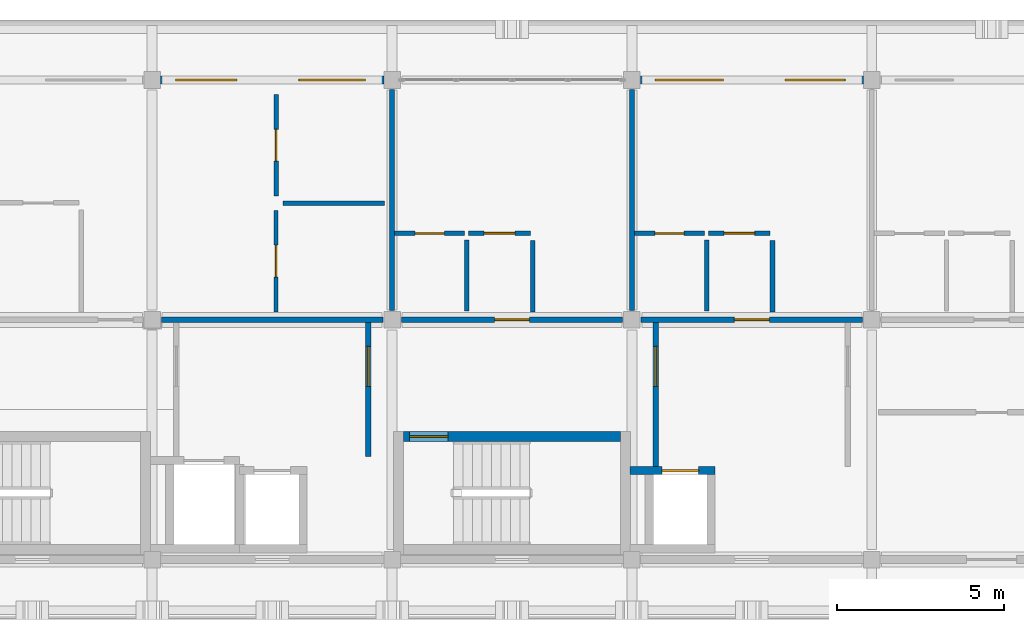
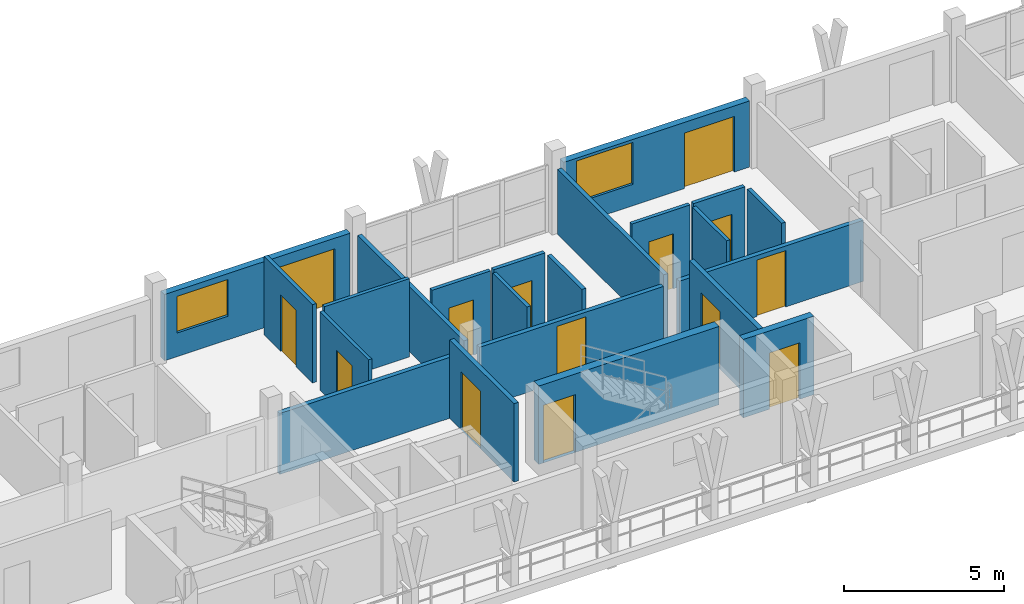
# One storey, part 29 of 45: 22 walls, 14 doors, 2 windows, 16 openings.
"""IFC4 building model written with IfcOpenShell, lengths in metres."""

from ifc_helpers import new_model, si_unit, direction, frame, frame_2d, origin, place, context, subcontext, project, spatial, rectangle, extrude, material, layer, layer_set, type_object, element, fill, save


model = new_model("IFC4")

# Units and contexts
model_context = context("Model", 3, precision=1e-05, world=origin(), true_north=direction((0.0, 1.0)))
body_context = subcontext(model_context, "Body", "Model", "MODEL_VIEW")
ifc_project = project(units=[si_unit("LENGTHUNIT", "METRE"), si_unit("AREAUNIT", "SQUARE_METRE"), si_unit("VOLUMEUNIT", "CUBIC_METRE"), si_unit("PLANEANGLEUNIT", "RADIAN"), si_unit("MASSUNIT", "GRAM", prefix="KILO")], contexts=[model_context])

# Site, building, storey
site_placement = place(None, origin())
site = spatial("IfcSite", under=ifc_project, at=site_placement, CompositionType="ELEMENT")
building_placement = place(site_placement, origin())
building = spatial("IfcBuilding", under=site, at=building_placement, Name="Suanplinth Sawtooth Commons", CompositionType="ELEMENT")
storey_placement = place(building_placement, frame((0.0, 0.0, 38.0)))
storey = spatial("IfcBuildingStorey", under=building, at=storey_placement, Name="L11", CompositionType="ELEMENT", Elevation=38.0)

# Wall, opening, door
ifc_material_1 = material(Name="Concrete C40/50", Category="concrete")
ifc_layer_1 = layer(ifc_material_1, 0.300048828125, Name="Standard RC stair and lift core wall 300mm")
ifc_layer_set_1 = layer_set([ifc_layer_1], Name="Concrete C40/50")
wall_type_1 = type_object("IfcWallType", Name="W-CR02", PredefinedType="SHEAR", material=ifc_layer_set_1)
wall_1_placement = place(storey_placement, frame((57.949951171875, 111.699951171875, 0.0), z_axis=(0.0, 0.0, 1.0), x_axis=(1.0, 0.0, 0.0)))
wall_1 = element("IfcWall", 1, at=wall_1_placement, inside=storey, type_object=wall_type_1, Name="W-L11-C-A2-STN", PredefinedType="SHEAR", context=body_context, shape_type="SweptSolid", body=[
    extrude(rectangle(XDim=6.5, YDim=0.300048828125, at=frame_2d((3.25, 0.0))), origin(), (0.0, 0.0, 1.0), 2.989990234375),
])
opening_1_placement = place(wall_1_placement, frame((0.179931640625, 0.0, 0.0)))
opening_1 = element("IfcOpeningElement", 2, at=opening_1_placement, cuts=wall_1, Name="Opening FD0134", PredefinedType="OPENING", context=body_context, shape_type="SweptSolid", body=[
    extrude(rectangle(XDim=1.14990234375, YDim=2.199951171875, at=frame_2d((0.574951171875, 1.10009765625))), frame((0.0, 0.1650390625, 0.0), z_axis=(0.0, -1.0, 0.0), x_axis=(1.0, 0.0, 0.0)), (0.0, 0.0, 1.0), 0.329833984375),
])
ifc_material_2 = material(Name="Teak hardwood fire-rated door assembly", Category="wood")
door_type_1 = type_object("IfcDoorType", Name="FD-01", OperationType="NOTDEFINED", PredefinedType="DOOR", material=ifc_material_2)
door_1_placement = place(opening_1_placement, frame((1.14990234375, 0.0, 0.0), z_axis=(0.0, 0.0, 1.0), x_axis=(-1.0, 0.0, 0.0)))
door_1 = element("IfcDoor", 3, at=door_1_placement, inside=storey, type_object=door_type_1, Name="Exit Stair Fire Door FD0134", OperationType="SINGLE_SWING_LEFT", OverallHeight=2.199951171875, OverallWidth=1.14990234375, PredefinedType="DOOR", context=body_context, shape_type="SweptSolid", body=[
    extrude(rectangle(XDim=1.14990234375, YDim=2.199951171875, at=frame_2d((0.574951171875, 1.10009765625))), frame((0.0, 0.02490234375, 0.0), z_axis=(0.0, -1.0, 0.0), x_axis=(1.0, 0.0, 0.0)), (0.0, 0.0, 1.0), 0.050048828125),
])
fill(opening_1, door_1)

# Wall, openings, door, window
ifc_material_3 = material(Name="Precast concrete C40/50", Category="concrete")
ifc_layer_2 = layer(ifc_material_3, 0.239990234375, Name="Upper insulated precast facade wall 240mm")
ifc_layer_set_2 = layer_set([ifc_layer_2], Name="Precast concrete C40/50")
wall_type_2 = type_object("IfcWallType", Name="W-EX03", PredefinedType="ELEMENTEDWALL", material=ifc_layer_set_2)
wall_2_placement = place(storey_placement, frame((50.64990234375, 122.39990234375, 0.0), z_axis=(0.0, 0.0, 1.0), x_axis=(1.0, 0.0, 0.0)))
wall_2 = element("IfcWall", 4, at=wall_2_placement, inside=storey, type_object=wall_type_2, Name="Facade Wall W-L11-A-N-4", PredefinedType="ELEMENTEDWALL", context=body_context, shape_type="SweptSolid", body=[
    extrude(rectangle(XDim=6.7001953125, YDim=0.239990234375, at=frame_2d((3.35009765625, 0.0))), origin(), (0.0, 0.0, 1.0), 2.52490234375),
])
opening_2_placement = place(wall_2_placement, frame((4.14990234375, 0.0, 0.0)))
opening_2 = element("IfcOpeningElement", 5, at=opening_2_placement, cuts=wall_2, Name="Opening ED0784", PredefinedType="OPENING", context=body_context, shape_type="SweptSolid", body=[
    extrude(rectangle(XDim=2.0, YDim=2.1201171875, at=frame_2d((1.0, 1.06005859375))), frame((0.0, 0.134765625, 0.0), z_axis=(0.0, -1.0, 0.0), x_axis=(1.0, 0.0, 0.0)), (0.0, 0.0, 1.0), 0.269775390625),
])
opening_3_placement = place(wall_2_placement, frame((0.449951171875, 0.0, 0.89990234375)))
opening_3 = element("IfcOpeningElement", 6, at=opening_3_placement, cuts=wall_2, Name="Opening W0865", PredefinedType="OPENING", context=body_context, shape_type="SweptSolid", body=[
    extrude(rectangle(XDim=1.85009765625, YDim=1.39990234375, at=frame_2d((0.925048828125, 0.699951171875))), frame((0.0, 0.134765625, 0.0), z_axis=(0.0, -1.0, 0.0), x_axis=(1.0, 0.0, 0.0)), (0.0, 0.0, 1.0), 0.269775390625),
])
ifc_material_4 = material(Name="Anodized aluminium and low-E glass", Category="aluminium")
door_type_2 = type_object("IfcDoorType", Name="SD-06", OperationType="DOUBLE_DOOR_SLIDING", PredefinedType="DOOR", material=ifc_material_4)
door_2_placement = place(opening_2_placement, frame((2.0, 0.0, 0.0), z_axis=(0.0, 0.0, 1.0), x_axis=(-1.0, 0.0, 0.0)))
door_2 = element("IfcDoor", 7, at=door_2_placement, inside=storey, type_object=door_type_2, Name="Balcony Sliding Door L11-A-N-4", OperationType="DOUBLE_DOOR_SLIDING", OverallHeight=2.1201171875, OverallWidth=2.0, PredefinedType="DOOR", context=body_context, shape_type="SweptSolid", body=[
    extrude(rectangle(XDim=2.0, YDim=2.1201171875, at=frame_2d((1.0, 1.06005859375))), frame((0.0, 0.02490234375, 0.0), z_axis=(0.0, -1.0, 0.0), x_axis=(1.0, 0.0, 0.0)), (0.0, 0.0, 1.0), 0.050048828125),
])
fill(opening_2, door_2)
ifc_material_5 = material(Name="Thermally broken aluminium and low-E double glazing", Category="aluminium")
window_type_1 = type_object("IfcWindowType", Name="WN-23", PartitioningType="DOUBLE_PANEL_VERTICAL", PredefinedType="WINDOW", material=ifc_material_5)
window_1_placement = place(opening_3_placement, origin())
window_1 = element("IfcWindow", 8, at=window_1_placement, inside=storey, type_object=window_type_1, Name="Window L11-A-N-4", OverallHeight=1.39990234375, OverallWidth=1.85009765625, PartitioningType="DOUBLE_PANEL_VERTICAL", PredefinedType="WINDOW", context=body_context, shape_type="SweptSolid", body=[
    extrude(rectangle(XDim=1.85009765625, YDim=1.39990234375, at=frame_2d((0.925048828125, 0.699951171875))), frame((0.0, 0.030029296875, 0.0), z_axis=(0.0, -1.0, 0.0), x_axis=(1.0, 0.0, 0.0)), (0.0, 0.0, 1.0), 0.06005859375),
])
fill(opening_3, window_1)

wall_3_placement = place(storey_placement, frame((65.050048828125, 122.39990234375, 0.0), z_axis=(0.0, 0.0, 1.0), x_axis=(1.0, 0.0, 0.0)))
wall_3 = element("IfcWall", 9, at=wall_3_placement, inside=storey, type_object=wall_type_2, Name="Facade Wall W-L11-A-N-6", PredefinedType="ELEMENTEDWALL", context=body_context, shape_type="SweptSolid", body=[
    extrude(rectangle(XDim=6.699951171875, YDim=0.239990234375, at=frame_2d((3.35009765625, 0.0))), origin(), (0.0, 0.0, 1.0), 2.52490234375),
])
opening_4_placement = place(wall_3_placement, frame((4.35009765625, 0.0, 0.0)))
opening_4 = element("IfcOpeningElement", 10, at=opening_4_placement, cuts=wall_3, Name="Opening ED0785", PredefinedType="OPENING", context=body_context, shape_type="SweptSolid", body=[
    extrude(rectangle(XDim=1.800048828125, YDim=2.1201171875, at=frame_2d((0.89990234375, 1.06005859375))), frame((0.0, 0.134765625, 0.0), z_axis=(0.0, -1.0, 0.0), x_axis=(1.0, 0.0, 0.0)), (0.0, 0.0, 1.0), 0.269775390625),
])
opening_5_placement = place(wall_3_placement, frame((0.449951171875, 0.0, 0.81494140625)))
opening_5 = element("IfcOpeningElement", 11, at=opening_5_placement, cuts=wall_3, Name="Opening W0868", PredefinedType="OPENING", context=body_context, shape_type="SweptSolid", body=[
    extrude(rectangle(XDim=2.050048828125, YDim=1.60009765625, at=frame_2d((1.02490234375, 0.800048828125))), frame((0.0, 0.134765625, 0.0), z_axis=(0.0, -1.0, 0.0), x_axis=(1.0, 0.0, 0.0)), (0.0, 0.0, 1.0), 0.269775390625),
])
door_type_3 = type_object("IfcDoorType", Name="SD-01", OperationType="SLIDING_TO_LEFT", PredefinedType="DOOR", material=ifc_material_4)
door_3_placement = place(opening_4_placement, frame((1.800048828125, 0.0, 0.0), z_axis=(0.0, 0.0, 1.0), x_axis=(-1.0, 0.0, 0.0)))
door_3 = element("IfcDoor", 12, at=door_3_placement, inside=storey, type_object=door_type_3, Name="Balcony Sliding Door L11-A-N-6", OperationType="SLIDING_TO_LEFT", OverallHeight=2.1201171875, OverallWidth=1.800048828125, PredefinedType="DOOR", context=body_context, shape_type="SweptSolid", body=[
    extrude(rectangle(XDim=1.800048828125, YDim=2.1201171875, at=frame_2d((0.89990234375, 1.06005859375))), frame((0.0, 0.02490234375, 0.0), z_axis=(0.0, -1.0, 0.0), x_axis=(1.0, 0.0, 0.0)), (0.0, 0.0, 1.0), 0.050048828125),
])
fill(opening_4, door_3)
window_type_2 = type_object("IfcWindowType", Name="WN-25", PartitioningType="DOUBLE_PANEL_VERTICAL", PredefinedType="WINDOW", material=ifc_material_5)
window_2_placement = place(opening_5_placement, origin())
window_2 = element("IfcWindow", 13, at=window_2_placement, inside=storey, type_object=window_type_2, Name="Window L11-A-N-6", OverallHeight=1.60009765625, OverallWidth=2.050048828125, PartitioningType="DOUBLE_PANEL_VERTICAL", PredefinedType="WINDOW", context=body_context, shape_type="SweptSolid", body=[
    extrude(rectangle(XDim=2.050048828125, YDim=1.60009765625, at=frame_2d((1.02490234375, 0.800048828125))), frame((0.0, 0.030029296875, 0.0), z_axis=(0.0, -1.0, 0.0), x_axis=(1.0, 0.0, 0.0)), (0.0, 0.0, 1.0), 0.06005859375),
])
fill(opening_5, window_2)

# Wall, opening, door
ifc_layer_3 = layer(ifc_material_3, 0.159912109375, Name="Fire-rated corridor and lobby wall 160mm")
ifc_layer_set_3 = layer_set([ifc_layer_3], Name="Precast concrete C40/50")
wall_type_3 = type_object("IfcWallType", Name="W-FW01", PredefinedType="PARTITIONING", material=ifc_layer_set_3)
wall_4_placement = place(storey_placement, frame((56.8798828125, 111.10009765625, 0.0), z_axis=(0.0, 0.0, 1.0), x_axis=(0.0, 1.0, 0.0)))
wall_4 = element("IfcWall", 14, at=wall_4_placement, inside=storey, type_object=wall_type_3, Name="W-L11-C-A1-LOB-E", PredefinedType="PARTITIONING", context=body_context, shape_type="SweptSolid", body=[
    extrude(rectangle(XDim=4.02001953125, YDim=0.159912109375, at=frame_2d((2.010009765625, 0.0))), origin(), (0.0, 0.0, 1.0), 2.989990234375),
])
opening_6_placement = place(wall_4_placement, frame((2.10009765625, 0.0, 0.0)))
opening_6 = element("IfcOpeningElement", 15, at=opening_6_placement, cuts=wall_4, Name="Opening FD0063", PredefinedType="OPENING", context=body_context, shape_type="SweptSolid", body=[
    extrude(rectangle(XDim=1.199951171875, YDim=2.199951171875, at=frame_2d((0.60009765625, 1.10009765625))), frame((0.0, 0.0947265625, 0.0), z_axis=(0.0, -1.0, 0.0), x_axis=(1.0, 0.0, 0.0)), (0.0, 0.0, 1.0), 0.189697265625),
])
door_type_4 = type_object("IfcDoorType", Name="FD-02", OperationType="NOTDEFINED", PredefinedType="DOOR", material=ifc_material_2)
door_4_placement = place(opening_6_placement, frame((1.199951171875, 0.0, 0.0), z_axis=(0.0, 0.0, 1.0), x_axis=(-1.0, 0.0, 0.0)))
door_4 = element("IfcDoor", 16, at=door_4_placement, inside=storey, type_object=door_type_4, Name="Lobby Fire Door FD0063", OperationType="SINGLE_SWING_RIGHT", OverallHeight=2.199951171875, OverallWidth=1.199951171875, PredefinedType="DOOR", context=body_context, shape_type="SweptSolid", body=[
    extrude(rectangle(XDim=1.199951171875, YDim=2.199951171875, at=frame_2d((0.60009765625, 1.10009765625))), frame((0.0, 0.02490234375, 0.0), z_axis=(0.0, -1.0, 0.0), x_axis=(1.0, 0.0, 0.0)), (0.0, 0.0, 1.0), 0.050048828125),
])
fill(opening_6, door_4)

wall_5_placement = place(storey_placement, frame((65.52001953125, 110.800048828125, 0.0), z_axis=(0.0, 0.0, 1.0), x_axis=(0.0, 1.0, 0.0)))
wall_5 = element("IfcWall", 17, at=wall_5_placement, inside=storey, type_object=wall_type_3, Name="W-L11-C-A2-LOB-W", PredefinedType="PARTITIONING", context=body_context, shape_type="SweptSolid", body=[
    extrude(rectangle(XDim=4.320068359375, YDim=0.159912109375, at=frame_2d((2.16015625, 0.0))), origin(), (0.0, 0.0, 1.0), 2.989990234375),
])
opening_7_placement = place(wall_5_placement, frame((2.39990234375, 0.0, 0.0)))
opening_7 = element("IfcOpeningElement", 18, at=opening_7_placement, cuts=wall_5, Name="Opening FD0135", PredefinedType="OPENING", context=body_context, shape_type="SweptSolid", body=[
    extrude(rectangle(XDim=1.199951171875, YDim=2.199951171875, at=frame_2d((0.60009765625, 1.10009765625))), frame((0.0, 0.0947265625, 0.0), z_axis=(0.0, -1.0, 0.0), x_axis=(1.0, 0.0, 0.0)), (0.0, 0.0, 1.0), 0.189697265625),
])
door_5_placement = place(opening_7_placement, origin())
door_5 = element("IfcDoor", 19, at=door_5_placement, inside=storey, type_object=door_type_4, Name="Lobby Fire Door FD0135", OperationType="SINGLE_SWING_RIGHT", OverallHeight=2.199951171875, OverallWidth=1.199951171875, PredefinedType="DOOR", context=body_context, shape_type="SweptSolid", body=[
    extrude(rectangle(XDim=1.199951171875, YDim=2.199951171875, at=frame_2d((0.60009765625, 1.10009765625))), frame((0.0, 0.02490234375, 0.0), z_axis=(0.0, -1.0, 0.0), x_axis=(1.0, 0.0, 0.0)), (0.0, 0.0, 1.0), 0.050048828125),
])
fill(opening_7, door_5)

# Wall
wall_6_placement = place(storey_placement, frame((50.679931640625, 115.199951171875, 0.0), z_axis=(0.0, 0.0, 1.0), x_axis=(1.0, 0.0, 0.0)))
element("IfcWall", 20, at=wall_6_placement, inside=storey, type_object=wall_type_3, Name="W-A-L11-U03-COR-S2", PredefinedType="PARTITIONING", context=body_context, shape_type="SweptSolid", body=[
    extrude(rectangle(XDim=6.64013671875, YDim=0.159912109375, at=frame_2d((3.320068359375, 0.0))), origin(), (0.0, 0.0, 1.0), 2.324951171875),
])

# Wall, opening, door
wall_7_placement = place(storey_placement, frame((57.8798828125, 115.199951171875, 0.0), z_axis=(0.0, 0.0, 1.0), x_axis=(1.0, 0.0, 0.0)))
wall_7 = element("IfcWall", 21, at=wall_7_placement, inside=storey, type_object=wall_type_3, Name="W-A-L11-U04-COR", PredefinedType="PARTITIONING", context=body_context, shape_type="SweptSolid", body=[
    extrude(rectangle(XDim=6.64013671875, YDim=0.159912109375, at=frame_2d((3.320068359375, 0.0))), origin(), (0.0, 0.0, 1.0), 2.324951171875),
])
opening_8_placement = place(wall_7_placement, frame((2.794921875, 0.0, 0.0)))
opening_8 = element("IfcOpeningElement", 22, at=opening_8_placement, cuts=wall_7, Name="Opening FD1939", PredefinedType="OPENING", context=body_context, shape_type="SweptSolid", body=[
    extrude(rectangle(XDim=1.050048828125, YDim=2.14990234375, at=frame_2d((0.52490234375, 1.074951171875))), frame((0.0, 0.0947265625, 0.0), z_axis=(0.0, -1.0, 0.0), x_axis=(1.0, 0.0, 0.0)), (0.0, 0.0, 1.0), 0.189697265625),
])
door_type_5 = type_object("IfcDoorType", Name="FD-04", OperationType="NOTDEFINED", PredefinedType="DOOR", material=ifc_material_2)
door_6_placement = place(opening_8_placement, origin())
door_6 = element("IfcDoor", 23, at=door_6_placement, inside=storey, type_object=door_type_5, Name="Unit Entrance Door FD1939", OperationType="SINGLE_SWING_LEFT", OverallHeight=2.14990234375, OverallWidth=1.050048828125, PredefinedType="DOOR", context=body_context, shape_type="SweptSolid", body=[
    extrude(rectangle(XDim=1.050048828125, YDim=2.14990234375, at=frame_2d((0.52490234375, 1.074951171875))), frame((0.0, 0.02490234375, 0.0), z_axis=(0.0, -1.0, 0.0), x_axis=(1.0, 0.0, 0.0)), (0.0, 0.0, 1.0), 0.050048828125),
])
fill(opening_8, door_6)

wall_8_placement = place(storey_placement, frame((65.080078125, 115.199951171875, 0.0), z_axis=(0.0, 0.0, 1.0), x_axis=(1.0, 0.0, 0.0)))
wall_8 = element("IfcWall", 24, at=wall_8_placement, inside=storey, type_object=wall_type_3, Name="W-A-L11-U05-COR", PredefinedType="PARTITIONING", context=body_context, shape_type="SweptSolid", body=[
    extrude(rectangle(XDim=6.639892578125, YDim=0.159912109375, at=frame_2d((3.31982421875, 0.0))), origin(), (0.0, 0.0, 1.0), 2.324951171875),
])
opening_9_placement = place(wall_8_placement, frame((2.794921875, 0.0, 0.0)))
opening_9 = element("IfcOpeningElement", 25, at=opening_9_placement, cuts=wall_8, Name="Opening FD1942", PredefinedType="OPENING", context=body_context, shape_type="SweptSolid", body=[
    extrude(rectangle(XDim=1.050048828125, YDim=2.14990234375, at=frame_2d((0.52490234375, 1.074951171875))), frame((0.0, 0.0947265625, 0.0), z_axis=(0.0, -1.0, 0.0), x_axis=(1.0, 0.0, 0.0)), (0.0, 0.0, 1.0), 0.189697265625),
])
door_7_placement = place(opening_9_placement, origin())
door_7 = element("IfcDoor", 26, at=door_7_placement, inside=storey, type_object=door_type_5, Name="Unit Entrance Door FD1942", OperationType="SINGLE_SWING_RIGHT", OverallHeight=2.14990234375, OverallWidth=1.050048828125, PredefinedType="DOOR", context=body_context, shape_type="SweptSolid", body=[
    extrude(rectangle(XDim=1.050048828125, YDim=2.14990234375, at=frame_2d((0.52490234375, 1.074951171875))), frame((0.0, 0.02490234375, 0.0), z_axis=(0.0, -1.0, 0.0), x_axis=(1.0, 0.0, 0.0)), (0.0, 0.0, 1.0), 0.050048828125),
])
fill(opening_9, door_7)

# Walls
ifc_layer_4 = layer(ifc_material_3, 0.14990234375, Name="Acoustic precast party demising wall 150mm")
ifc_layer_set_4 = layer_set([ifc_layer_4], Name="Precast concrete C40/50")
wall_type_4 = type_object("IfcWallType", Name="W-FW02", PredefinedType="PARTITIONING", material=ifc_layer_set_4)
for number, where, z_axis, x_axis, name in (
    (27, (57.60009765625, 115.47998046875, 0.0), (0.0, 0.0, 1.0), (0.0, 1.0, 0.0), "W-A-L11-U03-PTY"),
    (28, (64.800048828125, 115.47998046875, 0.0), (0.0, 0.0, 1.0), (0.0, 1.0, 0.0), "W-A-L11-U04-PTY"),
):
    element("IfcWall", number, at=place(storey_placement, frame(where, z_axis=z_axis, x_axis=x_axis)), inside=storey, type_object=wall_type_4, Name=name, PredefinedType="PARTITIONING", context=body_context, shape_type="SweptSolid", body=[
        extrude(rectangle(XDim=6.64013671875, YDim=0.14990234375, at=frame_2d((3.320068359375, 0.0))), origin(), (0.0, 0.0, 1.0), 2.47509765625),
    ])

# Wall, opening, door
ifc_material_6 = material(Name="Gypsum plasterboard on steel stud", Category="steel")
ifc_layer_5 = layer(ifc_material_6, 0.139892578125, Name="Fire-rated kitchen partition 140mm")
ifc_layer_set_5 = layer_set([ifc_layer_5], Name="Gypsum plasterboard on steel stud")
wall_type_5 = type_object("IfcWallType", Name="W-PT01", PredefinedType="PARTITIONING", material=ifc_layer_set_5)
wall_9_placement = place(storey_placement, frame((59.89990234375, 117.800048828125, 0.0), z_axis=(0.0, 0.0, 1.0), x_axis=(1.0, 0.0, 0.0)))
wall_9 = element("IfcWall", 29, at=wall_9_placement, inside=storey, type_object=wall_type_5, Name="W-A-L11-U04-KIT1", PredefinedType="PARTITIONING", context=body_context, shape_type="SweptSolid", body=[
    extrude(rectangle(XDim=1.85009765625, YDim=0.139892578125, at=frame_2d((0.925048828125, 0.0))), origin(), (0.0, 0.0, 1.0), 2.989990234375),
])
opening_10_placement = place(wall_9_placement, frame((0.465087890625, 0.0, 0.0)))
opening_10 = element("IfcOpeningElement", 30, at=opening_10_placement, cuts=wall_9, Name="Opening D1941", PredefinedType="OPENING", context=body_context, shape_type="SweptSolid", body=[
    extrude(rectangle(XDim=0.919921875, YDim=2.10009765625, at=frame_2d((0.4599609375, 1.050048828125))), frame((0.0, 0.0849609375, 0.0), z_axis=(0.0, -1.0, 0.0), x_axis=(1.0, 0.0, 0.0)), (0.0, 0.0, 1.0), 0.169677734375),
])
ifc_material_7 = material(Name="Teak hardwood", Category="wood")
door_type_6 = type_object("IfcDoorType", Name="D-02", OperationType="NOTDEFINED", PredefinedType="DOOR", material=ifc_material_7)
door_8_placement = place(opening_10_placement, frame((0.919921875, 0.0, 0.0), z_axis=(0.0, 0.0, 1.0), x_axis=(-1.0, 0.0, 0.0)))
door_8 = element("IfcDoor", 31, at=door_8_placement, inside=storey, type_object=door_type_6, Name="Kitchen Door D1941", OperationType="SINGLE_SWING_LEFT", OverallHeight=2.10009765625, OverallWidth=0.919921875, PredefinedType="DOOR", context=body_context, shape_type="SweptSolid", body=[
    extrude(rectangle(XDim=0.919921875, YDim=2.10009765625, at=frame_2d((0.4599609375, 1.050048828125))), frame((0.0, 0.02490234375, 0.0), z_axis=(0.0, -1.0, 0.0), x_axis=(1.0, 0.0, 0.0)), (0.0, 0.0, 1.0), 0.050048828125),
])
fill(opening_10, door_8)

# Wall
wall_10_placement = place(storey_placement, frame((61.820068359375, 115.429931640625, 0.0), z_axis=(0.0, 0.0, 1.0), x_axis=(0.0, 1.0, 0.0)))
element("IfcWall", 32, at=wall_10_placement, inside=storey, type_object=wall_type_5, Name="W-A-L11-U04-KIT2", PredefinedType="PARTITIONING", context=body_context, shape_type="SweptSolid", body=[
    extrude(rectangle(XDim=2.150146484375, YDim=0.139892578125, at=frame_2d((1.0751953125, 0.0))), origin(), (0.0, 0.0, 1.0), 2.989990234375),
])

# Wall, opening, door
wall_11_placement = place(storey_placement, frame((67.10009765625, 117.800048828125, 0.0), z_axis=(0.0, 0.0, 1.0), x_axis=(1.0, 0.0, 0.0)))
wall_11 = element("IfcWall", 33, at=wall_11_placement, inside=storey, type_object=wall_type_5, Name="W-A-L11-U05-KIT1", PredefinedType="PARTITIONING", context=body_context, shape_type="SweptSolid", body=[
    extrude(rectangle(XDim=1.849853515625, YDim=0.139892578125, at=frame_2d((0.9248046875, 0.0))), origin(), (0.0, 0.0, 1.0), 2.989990234375),
])
opening_11_placement = place(wall_11_placement, frame((0.465087890625, 0.0, 0.0)))
opening_11 = element("IfcOpeningElement", 34, at=opening_11_placement, cuts=wall_11, Name="Opening D1944", PredefinedType="OPENING", context=body_context, shape_type="SweptSolid", body=[
    extrude(rectangle(XDim=0.919921875, YDim=2.10009765625, at=frame_2d((0.4599609375, 1.050048828125))), frame((0.0, 0.0849609375, 0.0), z_axis=(0.0, -1.0, 0.0), x_axis=(1.0, 0.0, 0.0)), (0.0, 0.0, 1.0), 0.169677734375),
])
door_9_placement = place(opening_11_placement, frame((0.919921875, 0.0, 0.0), z_axis=(0.0, 0.0, 1.0), x_axis=(-1.0, 0.0, 0.0)))
door_9 = element("IfcDoor", 35, at=door_9_placement, inside=storey, type_object=door_type_6, Name="Kitchen Door D1944", OperationType="SINGLE_SWING_RIGHT", OverallHeight=2.10009765625, OverallWidth=0.919921875, PredefinedType="DOOR", context=body_context, shape_type="SweptSolid", body=[
    extrude(rectangle(XDim=0.919921875, YDim=2.10009765625, at=frame_2d((0.4599609375, 1.050048828125))), frame((0.0, 0.02490234375, 0.0), z_axis=(0.0, -1.0, 0.0), x_axis=(1.0, 0.0, 0.0)), (0.0, 0.0, 1.0), 0.050048828125),
])
fill(opening_11, door_9)

# Wall
wall_12_placement = place(storey_placement, frame((69.02001953125, 115.429931640625, 0.0), z_axis=(0.0, 0.0, 1.0), x_axis=(0.0, 1.0, 0.0)))
element("IfcWall", 36, at=wall_12_placement, inside=storey, type_object=wall_type_5, Name="W-A-L11-U05-KIT2", PredefinedType="PARTITIONING", context=body_context, shape_type="SweptSolid", body=[
    extrude(rectangle(XDim=2.150146484375, YDim=0.139892578125, at=frame_2d((1.0751953125, 0.0))), origin(), (0.0, 0.0, 1.0), 2.989990234375),
])

# Wall, opening, door
ifc_layer_6 = layer(ifc_material_6, 0.1298828125, Name="Moisture-resistant bathroom partition 130mm")
ifc_layer_set_6 = layer_set([ifc_layer_6], Name="Gypsum plasterboard on steel stud")
wall_type_6 = type_object("IfcWallType", Name="W-PT02", PredefinedType="PARTITIONING", material=ifc_layer_set_6)
wall_13_placement = place(storey_placement, frame((57.679931640625, 117.794921875, 0.0), z_axis=(0.0, 0.0, 1.0), x_axis=(1.0, 0.0, 0.0)))
wall_13 = element("IfcWall", 37, at=wall_13_placement, inside=storey, type_object=wall_type_6, Name="W-A-L11-U04-BTH1", PredefinedType="PARTITIONING", context=body_context, shape_type="SweptSolid", body=[
    extrude(rectangle(XDim=2.10009765625, YDim=0.1298828125, at=frame_2d((1.050048828125, 0.0))), origin(), (0.0, 0.0, 1.0), 2.989990234375),
])
opening_12_placement = place(wall_13_placement, frame((0.610107421875, 0.0, 0.0)))
opening_12 = element("IfcOpeningElement", 38, at=opening_12_placement, cuts=wall_13, Name="Opening D1940", PredefinedType="OPENING", context=body_context, shape_type="SweptSolid", body=[
    extrude(rectangle(XDim=0.8798828125, YDim=2.10009765625, at=frame_2d((0.43994140625, 1.050048828125))), frame((0.0, 0.079833984375, 0.0), z_axis=(0.0, -1.0, 0.0), x_axis=(1.0, 0.0, 0.0)), (0.0, 0.0, 1.0), 0.15966796875),
])
door_type_7 = type_object("IfcDoorType", Name="D-14", OperationType="NOTDEFINED", PredefinedType="DOOR", material=ifc_material_7)
door_10_placement = place(opening_12_placement, frame((0.8798828125, 0.0, 0.0), z_axis=(0.0, 0.0, 1.0), x_axis=(-1.0, 0.0, 0.0)))
door_10 = element("IfcDoor", 39, at=door_10_placement, inside=storey, type_object=door_type_7, Name="Bathroom Door D1940", OperationType="SINGLE_SWING_RIGHT", OverallHeight=2.10009765625, OverallWidth=0.8798828125, PredefinedType="DOOR", context=body_context, shape_type="SweptSolid", body=[
    extrude(rectangle(XDim=0.8798828125, YDim=2.10009765625, at=frame_2d((0.43994140625, 1.050048828125))), frame((0.0, 0.02490234375, 0.0), z_axis=(0.0, -1.0, 0.0), x_axis=(1.0, 0.0, 0.0)), (0.0, 0.0, 1.0), 0.050048828125),
])
fill(opening_12, door_10)

# Wall
wall_14_placement = place(storey_placement, frame((59.844970703125, 115.4599609375, 0.0), z_axis=(0.0, 0.0, 1.0), x_axis=(0.0, 1.0, 0.0)))
element("IfcWall", 40, at=wall_14_placement, inside=storey, type_object=wall_type_6, Name="W-A-L11-U04-BTH2", PredefinedType="PARTITIONING", context=body_context, shape_type="SweptSolid", body=[
    extrude(rectangle(XDim=2.130126953125, YDim=0.1298828125, at=frame_2d((1.06494140625, 0.0))), origin(), (0.0, 0.0, 1.0), 2.989990234375),
])

# Wall, opening, door
wall_15_placement = place(storey_placement, frame((64.8798828125, 117.794921875, 0.0), z_axis=(0.0, 0.0, 1.0), x_axis=(1.0, 0.0, 0.0)))
wall_15 = element("IfcWall", 41, at=wall_15_placement, inside=storey, type_object=wall_type_6, Name="W-A-L11-U05-BTH1", PredefinedType="PARTITIONING", context=body_context, shape_type="SweptSolid", body=[
    extrude(rectangle(XDim=2.10009765625, YDim=0.1298828125, at=frame_2d((1.050048828125, 0.0))), origin(), (0.0, 0.0, 1.0), 2.989990234375),
])
opening_13_placement = place(wall_15_placement, frame((0.610107421875, 0.0, 0.0)))
opening_13 = element("IfcOpeningElement", 42, at=opening_13_placement, cuts=wall_15, Name="Opening D1943", PredefinedType="OPENING", context=body_context, shape_type="SweptSolid", body=[
    extrude(rectangle(XDim=0.8798828125, YDim=2.10009765625, at=frame_2d((0.43994140625, 1.050048828125))), frame((0.0, 0.079833984375, 0.0), z_axis=(0.0, -1.0, 0.0), x_axis=(1.0, 0.0, 0.0)), (0.0, 0.0, 1.0), 0.15966796875),
])
door_11_placement = place(opening_13_placement, frame((0.8798828125, 0.0, 0.0), z_axis=(0.0, 0.0, 1.0), x_axis=(-1.0, 0.0, 0.0)))
door_11 = element("IfcDoor", 43, at=door_11_placement, inside=storey, type_object=door_type_7, Name="Bathroom Door D1943", OperationType="SINGLE_SWING_LEFT", OverallHeight=2.10009765625, OverallWidth=0.8798828125, PredefinedType="DOOR", context=body_context, shape_type="SweptSolid", body=[
    extrude(rectangle(XDim=0.8798828125, YDim=2.10009765625, at=frame_2d((0.43994140625, 1.050048828125))), frame((0.0, 0.02490234375, 0.0), z_axis=(0.0, -1.0, 0.0), x_axis=(1.0, 0.0, 0.0)), (0.0, 0.0, 1.0), 0.050048828125),
])
fill(opening_13, door_11)

# Wall
wall_16_placement = place(storey_placement, frame((67.044921875, 115.4599609375, 0.0), z_axis=(0.0, 0.0, 1.0), x_axis=(0.0, 1.0, 0.0)))
element("IfcWall", 44, at=wall_16_placement, inside=storey, type_object=wall_type_6, Name="W-A-L11-U05-BTH2", PredefinedType="PARTITIONING", context=body_context, shape_type="SweptSolid", body=[
    extrude(rectangle(XDim=2.130126953125, YDim=0.1298828125, at=frame_2d((1.06494140625, 0.0))), origin(), (0.0, 0.0, 1.0), 2.989990234375),
])

# Wall, opening, door
ifc_layer_7 = layer(ifc_material_6, 0.1201171875, Name="Acoustic bedroom partition 120mm")
ifc_layer_set_7 = layer_set([ifc_layer_7], Name="Gypsum plasterboard on steel stud")
wall_type_7 = type_object("IfcWallType", Name="W-PT03", PredefinedType="PARTITIONING", material=ifc_layer_set_7)
wall_17_placement = place(storey_placement, frame((54.1201171875, 115.43994140625, 0.0), z_axis=(0.0, 0.0, 1.0), x_axis=(0.0, 1.0, 0.0)))
wall_17 = element("IfcWall", 45, at=wall_17_placement, inside=storey, type_object=wall_type_7, Name="W-A-L11-U03-BED2", PredefinedType="PARTITIONING", context=body_context, shape_type="SweptSolid", body=[
    extrude(rectangle(XDim=3.0400390625, YDim=0.1201171875, at=frame_2d((1.52001953125, 0.0))), origin(), (0.0, 0.0, 1.0), 2.989990234375),
])
opening_14_placement = place(wall_17_placement, frame((1.0400390625, 0.0, 0.0)))
opening_14 = element("IfcOpeningElement", 46, at=opening_14_placement, cuts=wall_17, Name="Opening D1938", PredefinedType="OPENING", context=body_context, shape_type="SweptSolid", body=[
    extrude(rectangle(XDim=0.9599609375, YDim=2.14990234375, at=frame_2d((0.47998046875, 1.074951171875))), frame((0.0, 0.074951171875, 0.0), z_axis=(0.0, -1.0, 0.0), x_axis=(1.0, 0.0, 0.0)), (0.0, 0.0, 1.0), 0.14990234375),
])
door_type_8 = type_object("IfcDoorType", Name="D-13", OperationType="NOTDEFINED", PredefinedType="DOOR", material=ifc_material_7)
door_12_placement = place(opening_14_placement, frame((0.9599609375, 0.0, 0.0), z_axis=(0.0, 0.0, 1.0), x_axis=(-1.0, 0.0, 0.0)))
door_12 = element("IfcDoor", 47, at=door_12_placement, inside=storey, type_object=door_type_8, Name="Second Bedroom Door D1938", OperationType="SINGLE_SWING_RIGHT", OverallHeight=2.14990234375, OverallWidth=0.9599609375, PredefinedType="DOOR", context=body_context, shape_type="SweptSolid", body=[
    extrude(rectangle(XDim=0.9599609375, YDim=2.14990234375, at=frame_2d((0.47998046875, 1.074951171875))), frame((0.0, 0.02490234375, 0.0), z_axis=(0.0, -1.0, 0.0), x_axis=(1.0, 0.0, 0.0)), (0.0, 0.0, 1.0), 0.050048828125),
])
fill(opening_14, door_12)

# Wall
ifc_layer_8 = layer(ifc_material_6, 0.125, Name="Acoustic study partition 125mm")
ifc_layer_set_8 = layer_set([ifc_layer_8], Name="Gypsum plasterboard on steel stud")
wall_type_8 = type_object("IfcWallType", Name="W-PT06", PredefinedType="PARTITIONING", material=ifc_layer_set_8)
wall_18_placement = place(storey_placement, frame((54.320068359375, 118.699951171875, 0.0), z_axis=(0.0, 0.0, 1.0), x_axis=(1.0, 0.0, 0.0)))
element("IfcWall", 48, at=wall_18_placement, inside=storey, type_object=wall_type_8, Name="W-A-L11-U03-BEDDIV", PredefinedType="PARTITIONING", context=body_context, shape_type="SweptSolid", body=[
    extrude(rectangle(XDim=3.059814453125, YDim=0.125, at=frame_2d((1.52978515625, 0.0))), origin(), (0.0, 0.0, 1.0), 2.989990234375),
])

# Wall, opening, door
ifc_layer_9 = layer(ifc_material_6, 0.135009765625, Name="Insulated bedroom demising partition 135mm")
ifc_layer_set_9 = layer_set([ifc_layer_9], Name="Gypsum plasterboard on steel stud")
wall_type_9 = type_object("IfcWallType", Name="W-PT07", PredefinedType="PARTITIONING", material=ifc_layer_set_9)
wall_19_placement = place(storey_placement, frame((54.1201171875, 118.919921875, 0.0), z_axis=(0.0, 0.0, 1.0), x_axis=(0.0, 1.0, 0.0)))
wall_19 = element("IfcWall", 49, at=wall_19_placement, inside=storey, type_object=wall_type_9, Name="W-A-L11-U03-BED1", PredefinedType="PARTITIONING", context=body_context, shape_type="SweptSolid", body=[
    extrude(rectangle(XDim=3.0400390625, YDim=0.135009765625, at=frame_2d((1.52001953125, 0.0))), origin(), (0.0, 0.0, 1.0), 2.989990234375),
])
opening_15_placement = place(wall_19_placement, frame((1.044921875, 0.0, 0.0)))
opening_15 = element("IfcOpeningElement", 50, at=opening_15_placement, cuts=wall_19, Name="Opening D1937", PredefinedType="OPENING", context=body_context, shape_type="SweptSolid", body=[
    extrude(rectangle(XDim=0.949951171875, YDim=2.14990234375, at=frame_2d((0.47509765625, 1.074951171875))), frame((0.0, 0.08251953125, 0.0), z_axis=(0.0, -1.0, 0.0), x_axis=(1.0, 0.0, 0.0)), (0.0, 0.0, 1.0), 0.164794921875),
])
door_type_9 = type_object("IfcDoorType", Name="D-03", OperationType="NOTDEFINED", PredefinedType="DOOR", material=ifc_material_7)
door_13_placement = place(opening_15_placement, frame((0.949951171875, 0.0, 0.0), z_axis=(0.0, 0.0, 1.0), x_axis=(-1.0, 0.0, 0.0)))
door_13 = element("IfcDoor", 51, at=door_13_placement, inside=storey, type_object=door_type_9, Name="Bedroom Door D1937", OperationType="SINGLE_SWING_LEFT", OverallHeight=2.14990234375, OverallWidth=0.949951171875, PredefinedType="DOOR", context=body_context, shape_type="SweptSolid", body=[
    extrude(rectangle(XDim=0.949951171875, YDim=2.14990234375, at=frame_2d((0.47509765625, 1.074951171875))), frame((0.0, 0.02490234375, 0.0), z_axis=(0.0, -1.0, 0.0), x_axis=(1.0, 0.0, 0.0)), (0.0, 0.0, 1.0), 0.050048828125),
])
fill(opening_15, door_13)

ifc_layer_10 = layer(ifc_material_3, 0.25, Name="Precast structural shear wall 250mm")
ifc_layer_set_10 = layer_set([ifc_layer_10], Name="Precast concrete C40/50")
wall_type_10 = type_object("IfcWallType", Name="W-SH01", PredefinedType="SHEAR", material=ifc_layer_set_10)
wall_20_placement = place(storey_placement, frame((64.75, 110.675048828125, 0.0), z_axis=(0.0, 0.0, 1.0), x_axis=(1.0, 0.0, 0.0)))
wall_20 = element("IfcWall", 52, at=wall_20_placement, inside=storey, type_object=wall_type_10, Name="W-L11-LF2-N", PredefinedType="SHEAR", context=body_context, shape_type="SweptSolid", body=[
    extrude(rectangle(XDim=2.550048828125, YDim=0.25, at=frame_2d((1.27490234375, 0.0))), origin(), (0.0, 0.0, 1.0), 2.989990234375),
])
opening_16_placement = place(wall_20_placement, frame((0.949951171875, 0.0, 0.0)))
opening_16 = element("IfcOpeningElement", 53, at=opening_16_placement, cuts=wall_20, Name="Opening LD0137", PredefinedType="OPENING", context=body_context, shape_type="SweptSolid", body=[
    extrude(rectangle(XDim=1.10009765625, YDim=2.14990234375, at=frame_2d((0.550048828125, 1.074951171875))), frame((0.0, 0.139892578125, 0.0), z_axis=(0.0, -1.0, 0.0), x_axis=(1.0, 0.0, 0.0)), (0.0, 0.0, 1.0), 0.27978515625),
])
ifc_material_8 = material(Name="Stainless steel Grade 304", Category="steel")
door_type_10 = type_object("IfcDoorType", Name="LD-01", OperationType="SLIDING_TO_LEFT", PredefinedType="DOOR", material=ifc_material_8)
door_14_placement = place(opening_16_placement, origin())
door_14 = element("IfcDoor", 54, at=door_14_placement, inside=storey, type_object=door_type_10, Name="Lift Landing Sliding Door LF2 L11", OperationType="SLIDING_TO_LEFT", OverallHeight=2.14990234375, OverallWidth=1.10009765625, PredefinedType="DOOR", context=body_context, shape_type="SweptSolid", body=[
    extrude(rectangle(XDim=1.10009765625, YDim=2.14990234375, at=frame_2d((0.550048828125, 1.074951171875))), frame((0.0, 0.02490234375, 0.0), z_axis=(0.0, -1.0, 0.0), x_axis=(1.0, 0.0, 0.0)), (0.0, 0.0, 1.0), 0.050048828125),
])
fill(opening_16, door_14)

save(model, "model.ifc")
